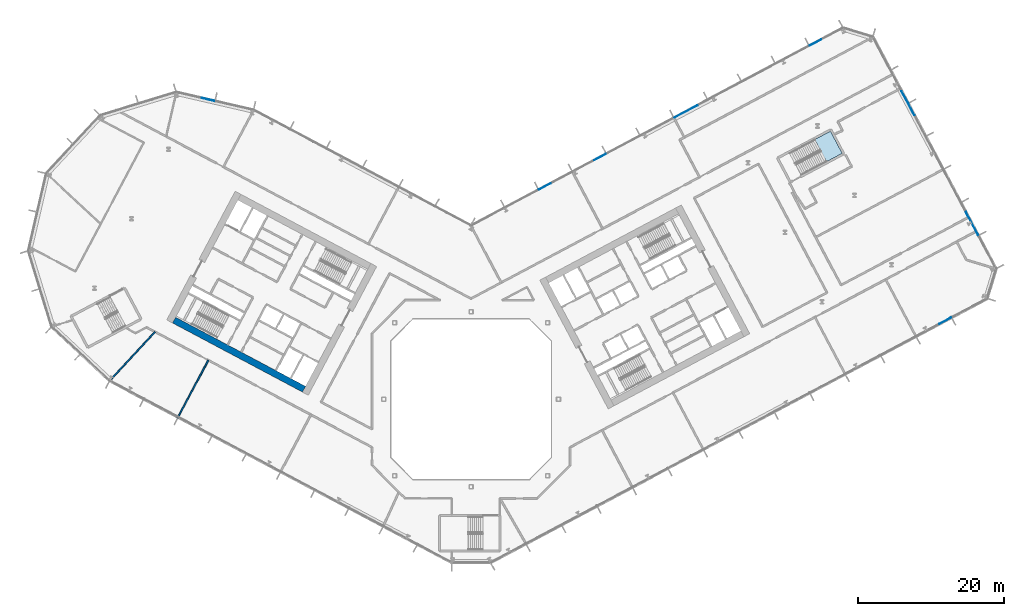
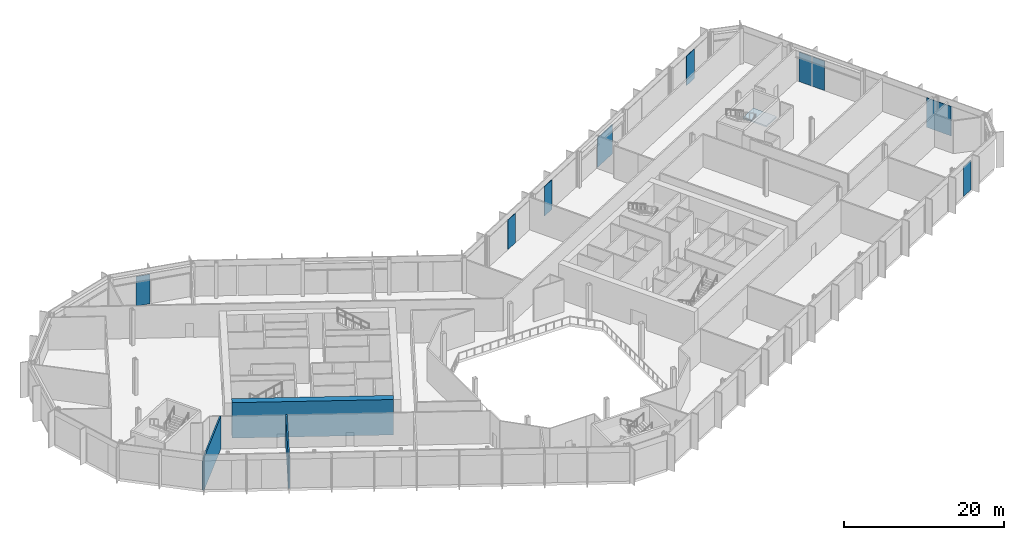
# One storey, part 11 of 31: 9 plates, 3 walls, 1 slab, 5 elements without a shape of their own.
"""IFC4 building model written with IfcOpenShell, lengths in metres."""

from ifc_helpers import new_model, si_unit, direction, frame, frame_2d, origin, origin_2d, place, context, subcontext, project, spatial, polyline, rectangle, outline, extrude, material, layer, layer_set, type_object, element, aggregate, save


model = new_model("IFC4")

# Units and contexts
model_context = context("Model", 3, precision=1e-05, world=origin(), true_north=direction((0.0, 1.0)))
body_context = subcontext(model_context, "Body", "Model", "MODEL_VIEW")
ifc_project = project(units=[si_unit("LENGTHUNIT", "METRE"), si_unit("AREAUNIT", "SQUARE_METRE"), si_unit("VOLUMEUNIT", "CUBIC_METRE"), si_unit("PLANEANGLEUNIT", "RADIAN"), si_unit("MASSUNIT", "GRAM", prefix="KILO")], contexts=[model_context])

# Site, building, storey
site_placement = place(None, origin())
site = spatial("IfcSite", under=ifc_project, at=site_placement, CompositionType="ELEMENT")
building_placement = place(site_placement, origin())
building = spatial("IfcBuilding", under=site, at=building_placement, Name="Cormorant Relay Tower", CompositionType="ELEMENT")
storey_placement = place(building_placement, frame((0.0, 0.0, 33.800048828125)))
storey = spatial("IfcBuildingStorey", under=building, at=storey_placement, Name="L06", CompositionType="ELEMENT", Elevation=33.800048828125)

# Curtain wall, plate
ifc_material_1 = material(Name="Aluminium 6063-T6 anodised bronze", Category="aluminium")
ifc_layer_1 = layer(ifc_material_1, 0.235107421875)
ifc_layer_set_1 = layer_set([ifc_layer_1], Name="CW6 data hall curtain wall with mineral wool panels")
curtain_wall_type = type_object("IfcCurtainWallType", Name="CW6 data hall curtain wall with mineral wool panels", PredefinedType="NOTDEFINED", material=ifc_layer_set_1)
curtain_wall_1_placement = place(storey_placement, origin())
curtain_wall_1 = element("IfcCurtainWall", 1, at=curtain_wall_1_placement, inside=storey, type_object=curtain_wall_type, Name="CW6 curtain wall 2", PredefinedType="NOTDEFINED")
ifc_material_2 = material(Name="Tinted triple-glazed laminated unit")
ifc_layer_2 = layer(ifc_material_2, 0.074951171875)
ifc_layer_set_2 = layer_set([ifc_layer_2], Name="CW6 triple-glazed vision unit 1800 module")
plate_type_1 = type_object("IfcPlateType", Name="CW6 triple-glazed vision unit 1800 module", PredefinedType="CURTAIN_PANEL", material=ifc_layer_set_2)
plate_1_placement = place(storey_placement, frame((65.072265625, 10.773193359375, 0.0), z_axis=(0.0, 0.0, 1.0), x_axis=(0.882947592859, 0.469471562786, 0.0)))
plate_1 = element("IfcPlate", 2, at=plate_1_placement, type_object=plate_type_1, Name="CW6 panel V12", PredefinedType="CURTAIN_PANEL", context=body_context, shape_type="SweptSolid", body=[
    extrude(rectangle(XDim=1.800048828125, YDim=0.074951171875, at=origin_2d()), origin(), (0.0, 0.0, 1.0), 4.5),
])
aggregate(curtain_wall_1, [plate_1])

# Curtain wall, plates
curtain_wall_2_placement = place(storey_placement, origin())
curtain_wall_2 = element("IfcCurtainWall", 3, at=curtain_wall_2_placement, inside=storey, type_object=curtain_wall_type, Name="CW6 curtain wall 4", PredefinedType="NOTDEFINED")
plate_2_placement = place(storey_placement, frame((60.44140625, 39.77001953125, 0.0), z_axis=(0.0, 0.0, 1.0), x_axis=(-0.469471562786, 0.882947592859, 0.0)))
plate_2 = element("IfcPlate", 4, at=plate_2_placement, type_object=plate_type_1, Name="CW6 panel V04", PredefinedType="CURTAIN_PANEL", context=body_context, shape_type="SweptSolid", body=[
    extrude(rectangle(XDim=1.800048828125, YDim=0.074951171875, at=origin_2d()), origin(), (0.0, 0.0, 1.0), 4.5),
])
plate_3_placement = place(storey_placement, frame((59.52587890625, 41.49169921875, 0.0), z_axis=(0.0, 0.0, 1.0), x_axis=(-0.469471562786, 0.882947592859, 0.0)))
plate_3 = element("IfcPlate", 5, at=plate_3_placement, type_object=plate_type_1, Name="CW6 panel V05", PredefinedType="CURTAIN_PANEL", context=body_context, shape_type="SweptSolid", body=[
    extrude(rectangle(XDim=1.800048828125, YDim=0.074951171875, at=origin_2d()), origin(), (0.0, 0.0, 1.0), 4.5),
])

curtain_wall_3_placement = place(storey_placement, origin())
curtain_wall_3 = element("IfcCurtainWall", 6, at=curtain_wall_3_placement, inside=storey, type_object=curtain_wall_type, Name="CW6 curtain wall 6", PredefinedType="NOTDEFINED")
plate_4_placement = place(storey_placement, frame((47.265380859375, 48.9580078125, 0.0), z_axis=(0.0, 0.0, 1.0), x_axis=(-0.882947592859, -0.469471562786, 0.0)))
plate_4 = element("IfcPlate", 7, at=plate_4_placement, type_object=plate_type_1, Name="CW6 panel V01", PredefinedType="CURTAIN_PANEL", context=body_context, shape_type="SweptSolid", body=[
    extrude(rectangle(XDim=1.800048828125, YDim=0.074951171875, at=origin_2d()), origin(), (0.0, 0.0, 1.0), 4.5),
])
plate_5_placement = place(storey_placement, frame((17.6904296875, 33.232666015625, 0.0), z_axis=(0.0, 0.0, 1.0), x_axis=(-0.882947592859, -0.469471562786, 0.0)))
plate_5 = element("IfcPlate", 8, at=plate_5_placement, type_object=plate_type_1, Name="CW6 panel V06", PredefinedType="CURTAIN_PANEL", context=body_context, shape_type="SweptSolid", body=[
    extrude(rectangle(XDim=1.800048828125, YDim=0.074951171875, at=origin_2d()), origin(), (0.0, 0.0, 1.0), 4.5),
])
plate_6_placement = place(storey_placement, frame((10.127685546875, 29.21142578125, 0.0), z_axis=(0.0, 0.0, 1.0), x_axis=(-0.882947592859, -0.469471562786, 0.0)))
plate_6 = element("IfcPlate", 9, at=plate_6_placement, type_object=plate_type_1, Name="CW6 panel V08", PredefinedType="CURTAIN_PANEL", context=body_context, shape_type="SweptSolid", body=[
    extrude(rectangle(XDim=1.800048828125, YDim=0.074951171875, at=origin_2d()), origin(), (0.0, 0.0, 1.0), 4.5),
])

# Curtain wall, plate
curtain_wall_4_placement = place(storey_placement, origin())
curtain_wall_4 = element("IfcCurtainWall", 10, at=curtain_wall_4_placement, inside=storey, type_object=curtain_wall_type, Name="CW6 curtain wall 8", PredefinedType="NOTDEFINED")
plate_7_placement = place(storey_placement, frame((-36.111083984375, 41.146484375, 0.0), z_axis=(0.0, 0.0, 1.0), x_axis=(-0.974370064785, 0.224951054344, 0.0)))
plate_7 = element("IfcPlate", 11, at=plate_7_placement, type_object=plate_type_1, Name="CW6 panel V01", PredefinedType="CURTAIN_PANEL", context=body_context, shape_type="SweptSolid", body=[
    extrude(rectangle(XDim=1.800048828125, YDim=0.074951171875, at=origin_2d()), origin(), (0.0, 0.0, 1.0), 4.5),
])
aggregate(curtain_wall_4, [plate_7])

# Plate
ifc_material_3 = material(Name="Tinted triple-glazed laminated unit")
ifc_layer_3 = layer(ifc_material_3, 0.074951171875)
ifc_layer_set_3 = layer_set([ifc_layer_3], Name="CW6 triple-glazed vision unit 3600 module")
plate_type_2 = type_object("IfcPlateType", Name="CW6 triple-glazed vision unit 3600 module", PredefinedType="CURTAIN_PANEL", material=ifc_layer_set_3)
plate_8_placement = place(storey_placement, frame((68.760986328125, 24.122802734375, 0.0), z_axis=(0.0, 0.0, 1.0), x_axis=(-0.469471562786, 0.882947592859, 0.0)))
plate_8 = element("IfcPlate", 12, at=plate_8_placement, type_object=plate_type_2, Name="CW6 panel V01", PredefinedType="CURTAIN_PANEL", context=body_context, shape_type="SweptSolid", body=[
    extrude(rectangle(XDim=3.60009765625, YDim=0.074951171875, at=origin_2d()), origin(), (0.0, 0.0, 1.0), 4.5),
])

aggregate(curtain_wall_2, [plate_8, plate_2, plate_3])

plate_9_placement = place(storey_placement, frame((29.4912109375, 39.507080078125, 0.0), z_axis=(0.0, 0.0, 1.0), x_axis=(-0.882947592859, -0.469471562786, 0.0)))
plate_9 = element("IfcPlate", 13, at=plate_9_placement, type_object=plate_type_2, Name="CW6 panel V04", PredefinedType="CURTAIN_PANEL", context=body_context, shape_type="SweptSolid", body=[
    extrude(rectangle(XDim=3.60009765625, YDim=0.074951171875, at=origin_2d()), origin(), (0.0, 0.0, 1.0), 4.5),
])

aggregate(curtain_wall_3, [plate_4, plate_9, plate_5, plate_6])

# Stair, slab
ifc_material_4 = material(Name="Concrete 40 MPa", Category="concrete")
stair_type = type_object("IfcStairType", Name="Exit stair 1500", PredefinedType="HALF_TURN_STAIR", material=ifc_material_4)
stair_placement = place(storey_placement, origin())
stair = element("IfcStair", 14, at=stair_placement, inside=storey, type_object=stair_type, Name="L06 Stair", PredefinedType="HALF_TURN_STAIR")
ifc_material_5 = material(Name="Concrete 40 MPa", Category="concrete")
ifc_layer_4 = layer(ifc_material_5, 0.199951171875)
ifc_layer_set_4 = layer_set([ifc_layer_4], Name="Exit stair landing 200")
slab_type = type_object("IfcSlabType", Name="Exit stair landing 200", PredefinedType="LANDING", material=ifc_layer_set_4)
slab_placement = place(storey_placement, frame((0.0, 0.0, 2.5)))
slab = element("IfcSlab", 15, at=slab_placement, type_object=slab_type, Name="RB1 landing 1", PredefinedType="LANDING", context=body_context, shape_type="SweptSolid", body=[
    extrude(outline(polyline([(48.796142578125, 32.614013671875), (50.941650390625, 33.7548828125), (49.322021484375, 36.801025390625), (47.17626953125, 35.66015625), (48.796142578125, 32.614013671875)])), origin(), (0.0, 0.0, 1.0), 0.199951171875),
])
aggregate(stair, [slab])

# Walls
ifc_material_6 = material(Name="Concrete 70 MPa", Category="concrete")
ifc_layer_5 = layer(ifc_material_6, 0.89990234375)
ifc_layer_set_5 = layer_set([ifc_layer_5], Name="Core wall 900")
wall_type_1 = type_object("IfcWallType", Name="Core wall 900", PredefinedType="SHEAR", material=ifc_layer_set_5)
wall_1_placement = place(storey_placement, frame((-22.93701171875, 1.3798828125, 0.0), z_axis=(0.0, 0.0, 1.0), x_axis=(-0.88295276571, 0.46946183394, 0.0)))
element("IfcWall", 16, at=wall_1_placement, inside=storey, type_object=wall_type_1, Name="L06 core A wall", PredefinedType="SHEAR", context=body_context, shape_type="SweptSolid", body=[
    extrude(rectangle(XDim=20.199951171875, YDim=0.89990234375, at=frame_2d((10.10009765625, 0.0))), origin(), (0.0, 0.0, 1.0), 5.39990234375),
])
ifc_material_7 = material(Name="Fire-rated gypsum board partition")
ifc_layer_6 = layer(ifc_material_7, 0.199951171875)
ifc_layer_set_6 = layer_set([ifc_layer_6], Name="Fire-rated gypsum partition 200")
wall_type_2 = type_object("IfcWallType", Name="Fire-rated gypsum partition 200", PredefinedType="PARTITIONING", material=ifc_layer_set_6)
wall_2_placement = place(storey_placement, frame((-43.376953125, 9.2490234375, 0.0), z_axis=(0.0, 0.0, 1.0), x_axis=(-0.681998974138, -0.731353128984, 0.0)))
element("IfcWall", 17, at=wall_2_placement, inside=storey, type_object=wall_type_2, Name="wall/L06/part/6", PredefinedType="PARTITIONING", context=body_context, shape_type="SweptSolid", body=[
    extrude(rectangle(XDim=9.319580078125, YDim=0.199951171875, at=frame_2d((4.65966796875, 0.0))), origin(), (0.0, 0.0, 1.0), 4.949951171875),
])
wall_3_placement = place(storey_placement, frame((-36.071044921875, 5.364013671875, 0.0), z_axis=(0.0, 0.0, 1.0), x_axis=(-0.469475779988, -0.88294535052, 0.0)))
element("IfcWall", 18, at=wall_3_placement, inside=storey, type_object=wall_type_2, Name="wall/L06/part/7", PredefinedType="PARTITIONING", context=body_context, shape_type="SweptSolid", body=[
    extrude(rectangle(XDim=9.001708984375, YDim=0.199951171875, at=frame_2d((4.5009765625, 0.0))), origin(), (0.0, 0.0, 1.0), 4.949951171875),
])

save(model, "model.ifc")
